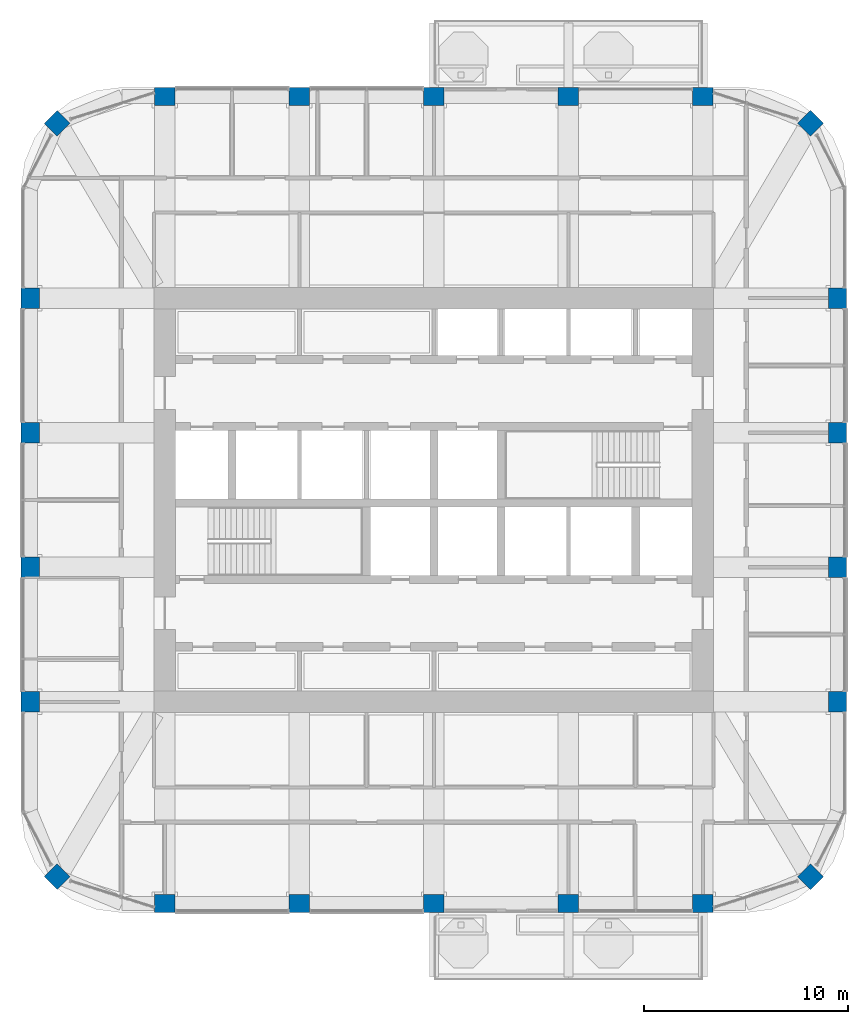
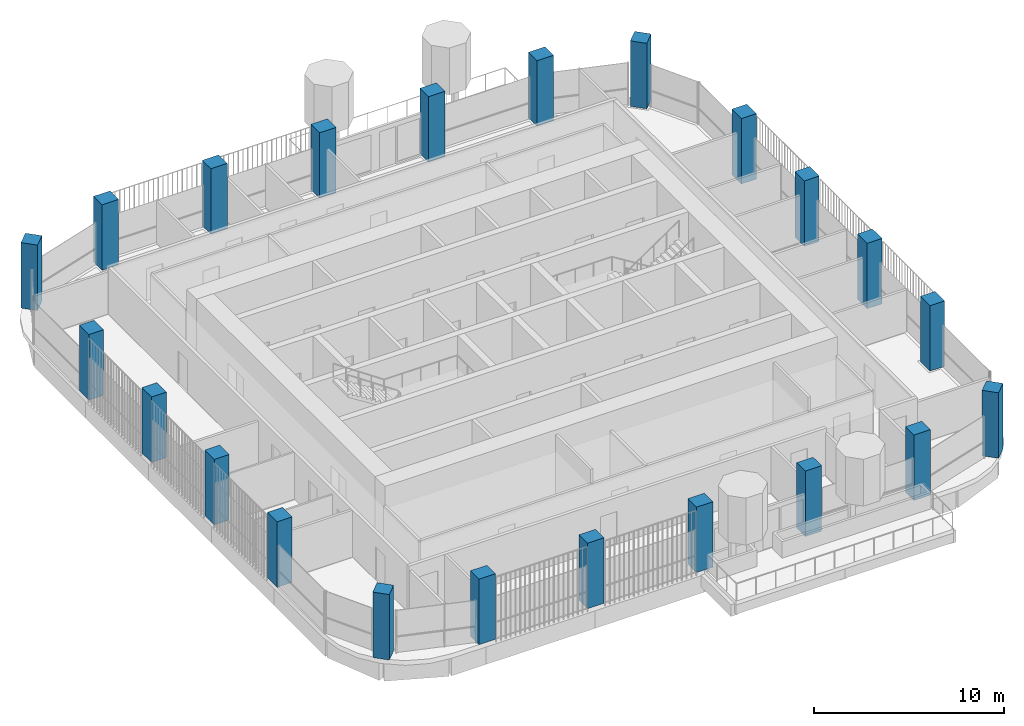
# One storey, part 1 of 21: 22 columns.
"""IFC4 building model written with IfcOpenShell, lengths in metres."""

from ifc_helpers import new_model, si_unit, direction, frame, origin, origin_2d, place, context, subcontext, project, spatial, rectangle, extrude, material, material_profile, profile_set, type_object, element, save


model = new_model("IFC4")

# Units and contexts
model_context = context("Model", 3, precision=1e-05, world=origin(), true_north=direction((0.0, 1.0)))
body_context = subcontext(model_context, "Body", "Model", "MODEL_VIEW")
ifc_project = project(units=[si_unit("LENGTHUNIT", "METRE"), si_unit("AREAUNIT", "SQUARE_METRE"), si_unit("VOLUMEUNIT", "CUBIC_METRE"), si_unit("PLANEANGLEUNIT", "RADIAN"), si_unit("MASSUNIT", "GRAM", prefix="KILO")], contexts=[model_context])

# Site, building, storey
site_placement = place(None, origin())
site = spatial("IfcSite", under=ifc_project, at=site_placement, CompositionType="ELEMENT")
building_placement = place(site_placement, origin())
building = spatial("IfcBuilding", under=site, at=building_placement, Name="Cobogo Forest Laboratory Tower", CompositionType="ELEMENT")
storey_placement = place(building_placement, frame((0.0, 0.0, 275.39990234375)))
storey = spatial("IfcBuildingStorey", under=building, at=storey_placement, Name="L63", CompositionType="ELEMENT", Elevation=275.39990234375)

# Columns
ifc_material = material(Name="Concrete HA-50 (C50/60)", Category="concrete")
ifc_material_profile_1 = material_profile(ifc_material, rectangle(XDim=1.0, YDim=0.89990234375, at=origin_2d()), Name="RC 900x1000")
ifc_profile_set_1 = profile_set([ifc_material_profile_1], Name="Concrete HA-50 (C50/60)")
column_type_1 = type_object("IfcColumnType", Name="Blade column 900x1000", PredefinedType="COLUMN", material=ifc_profile_set_1)
for number, where, z_axis, x_axis, name in (
    (1, (13.199951171875, 3.300048828125, 0.0), (0.0, 0.0, 1.0), (1.0, 0.0, 0.0), "Column 3-A.1 L63"),
    (2, (19.800048828125, 3.300048828125, 0.0), (0.0, 0.0, 1.0), (1.0, 0.0, 0.0), "Column 4-A.1 L63"),
    (3, (26.39990234375, 3.300048828125, 0.0), (0.0, 0.0, 1.0), (1.0, 0.0, 0.0), "Column 5-A.1 L63"),
    (4, (33.0, 3.300048828125, 0.0), (0.0, 0.0, 1.0), (1.0, 0.0, 0.0), "Column 6-A.1 L63"),
    (5, (39.60009765625, 3.300048828125, 0.0), (0.0, 0.0, 1.0), (1.0, 0.0, 0.0), "Column 7-A.1 L63"),
    (6, (6.60009765625, 13.199951171875, 0.0), (0.0, 0.0, 1.0), (0.0, 1.0, 0.0), "Column 2-C L63"),
    (7, (46.199951171875, 13.199951171875, 0.0), (0.0, 0.0, 1.0), (0.0, 1.0, 0.0), "Column 8-C L63"),
    (8, (6.60009765625, 19.800048828125, 0.0), (0.0, 0.0, 1.0), (0.0, 1.0, 0.0), "Column 2-D L63"),
    (9, (46.199951171875, 19.800048828125, 0.0), (0.0, 0.0, 1.0), (0.0, 1.0, 0.0), "Column 8-D L63"),
    (10, (6.60009765625, 26.39990234375, 0.0), (0.0, 0.0, 1.0), (0.0, 1.0, 0.0), "Column 2-E L63"),
    (11, (46.199951171875, 26.39990234375, 0.0), (0.0, 0.0, 1.0), (0.0, 1.0, 0.0), "Column 8-E L63"),
    (12, (6.60009765625, 33.0, 0.0), (0.0, 0.0, 1.0), (0.0, 1.0, 0.0), "Column 2-F L63"),
    (13, (46.199951171875, 33.0, 0.0), (0.0, 0.0, 1.0), (0.0, 1.0, 0.0), "Column 8-F L63"),
    (14, (13.199951171875, 42.89990234375, 0.0), (0.0, 0.0, 1.0), (1.0, 0.0, 0.0), "Column 3-G.1 L63"),
    (15, (19.800048828125, 42.89990234375, 0.0), (0.0, 0.0, 1.0), (1.0, 0.0, 0.0), "Column 4-G.1 L63"),
    (16, (26.39990234375, 42.89990234375, 0.0), (0.0, 0.0, 1.0), (1.0, 0.0, 0.0), "Column 5-G.1 L63"),
    (17, (33.0, 42.89990234375, 0.0), (0.0, 0.0, 1.0), (1.0, 0.0, 0.0), "Column 6-G.1 L63"),
    (18, (39.60009765625, 42.89990234375, 0.0), (0.0, 0.0, 1.0), (1.0, 0.0, 0.0), "Column 7-G.1 L63"),
):
    element("IfcColumn", number, at=place(storey_placement, frame(where, z_axis=z_axis, x_axis=x_axis)), inside=storey, type_object=column_type_1, Name=name, PredefinedType="COLUMN", context=body_context, shape_type="SweptSolid", body=[
        extrude(rectangle(XDim=1.0, YDim=0.89990234375, at=origin_2d()), origin(), (0.0, 0.0, 1.0), 4.2001953125),
    ])
ifc_material_profile_2 = material_profile(ifc_material, rectangle(XDim=0.89990234375, YDim=0.89990234375, at=origin_2d()), Name="RC 900x900")
ifc_profile_set_2 = profile_set([ifc_material_profile_2], Name="Concrete HA-50 (C50/60)")
column_type_2 = type_object("IfcColumnType", Name="Column 900x900", PredefinedType="COLUMN", material=ifc_profile_set_2)
for number, where, z_axis, x_axis, name in (
    (19, (7.91796875, 4.617919921875, 0.0), (0.0, 0.0, 1.0), (0.707106781187, 0.707106781187, 0.0), "Column CNR-SW L63"),
    (20, (44.882080078125, 4.617919921875, 0.0), (0.0, 0.0, 1.0), (0.707106781187, 0.707106781187, 0.0), "Column CNR-SE L63"),
    (21, (7.91796875, 41.58203125, 0.0), (0.0, 0.0, 1.0), (0.707106781187, 0.707106781187, 0.0), "Column CNR-NW L63"),
    (22, (44.882080078125, 41.58203125, 0.0), (0.0, 0.0, 1.0), (0.707106781187, 0.707106781187, 0.0), "Column CNR-NE L63"),
):
    element("IfcColumn", number, at=place(storey_placement, frame(where, z_axis=z_axis, x_axis=x_axis)), inside=storey, type_object=column_type_2, Name=name, PredefinedType="COLUMN", context=body_context, shape_type="SweptSolid", body=[
        extrude(rectangle(XDim=0.89990234375, YDim=0.89990234375, at=origin_2d()), origin(), (0.0, 0.0, 1.0), 4.2001953125),
    ])

save(model, "model.ifc")
